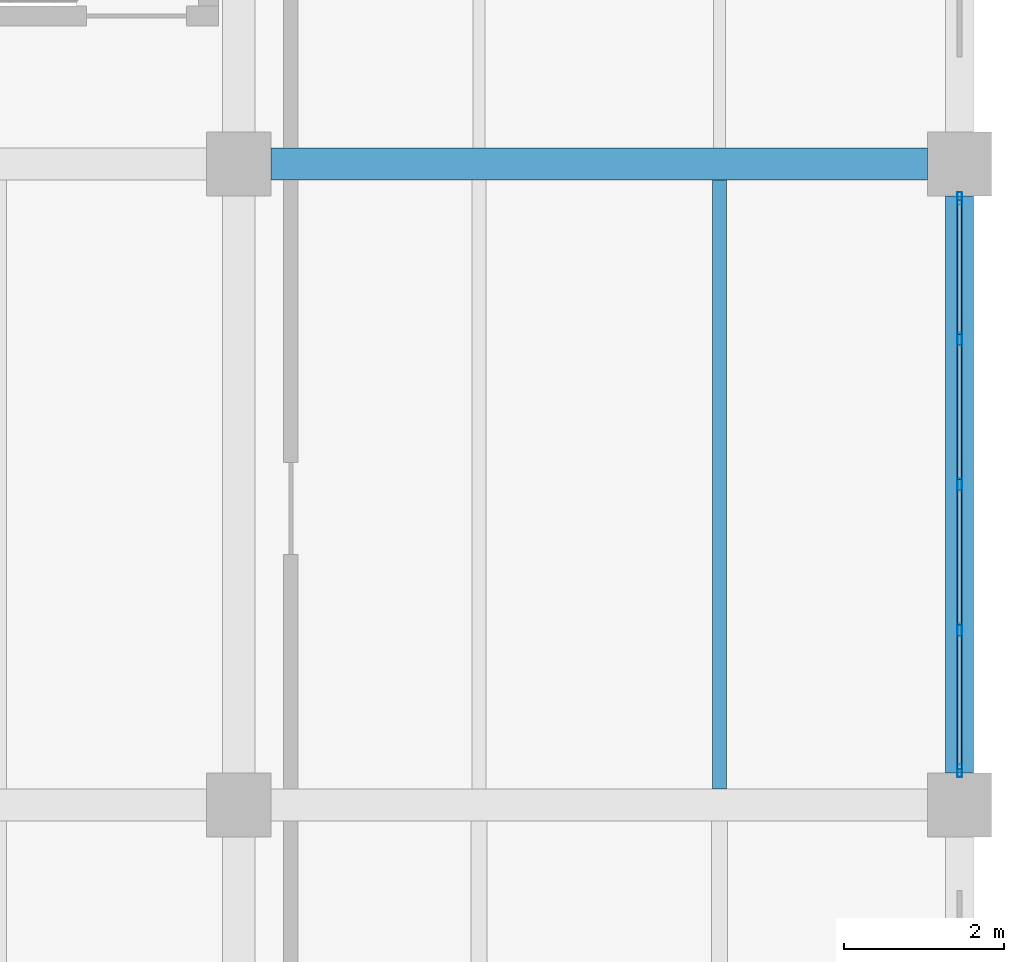
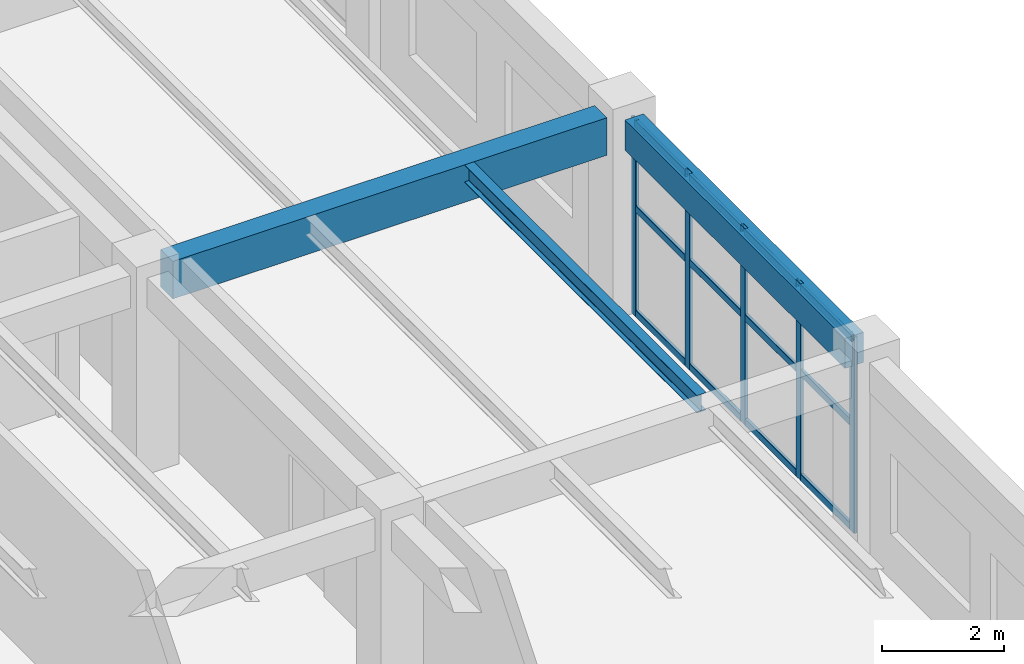
# One storey, part 108 of 148: 17 members, 3 beams, 1 element without a shape of its own.
"""IFC4 building model written with IfcOpenShell, lengths in metres."""

from ifc_helpers import new_model, si_unit, derived_unit, direction, frame, origin, origin_2d, place, context, subcontext, project, spatial, rectangle, hollow_rectangle, i_section, extrude, material, material_profile, profile_set, type_object, element, aggregate, save


model = new_model("IFC4")

# Units and contexts
model_context = context("Model", 3, precision=1e-05, world=origin(), true_north=direction((0.0, 1.0)))
body_context = subcontext(model_context, "Body", "Model", "MODEL_VIEW")
ifc_project = project(units=[si_unit("LENGTHUNIT", "METRE"), si_unit("AREAUNIT", "SQUARE_METRE"), si_unit("VOLUMEUNIT", "CUBIC_METRE"), si_unit("PLANEANGLEUNIT", "RADIAN"), si_unit("MASSUNIT", "GRAM", prefix="KILO"), derived_unit("THERMALTRANSMITTANCEUNIT", [(si_unit("MASSUNIT", "GRAM", prefix="KILO"), 1), (si_unit("TIMEUNIT", "SECOND"), -3), (si_unit("THERMODYNAMICTEMPERATUREUNIT", "KELVIN"), -1)])], contexts=[model_context])

# Site, building, storey
site_placement = place(None, origin())
site = spatial("IfcSite", under=ifc_project, at=site_placement, CompositionType="ELEMENT")
building_placement = place(site_placement, origin())
building = spatial("IfcBuilding", under=site, at=building_placement, Name="Zhenchuan Archway Interchange", CompositionType="ELEMENT")
storey_placement = place(building_placement, frame((0.0, 0.0, 10.199951171875)))
storey = spatial("IfcBuildingStorey", under=building, at=storey_placement, Name="L02", CompositionType="ELEMENT", Elevation=10.199951171875)

# Beam
ifc_material_1 = material(Name="Concrete C40", Category="concrete")
ifc_material_profile_1 = material_profile(ifc_material_1, rectangle(XDim=0.39990234375, YDim=0.75, at=origin_2d()), Name="RC 400x750")
ifc_profile_set_1 = profile_set([ifc_material_profile_1], Name="Concrete C40")
beam_type_1 = type_object("IfcBeamType", Name="BM_RC_400x750", PredefinedType="BEAM", material=ifc_profile_set_1)
beam_1_placement = place(storey_placement, frame((162.39990234375, 88.0, 3.545166015625), z_axis=(1.0, 0.0, 0.0), x_axis=(0.0, 1.0, 0.0)))
element("IfcBeam", 1, at=beam_1_placement, inside=storey, type_object=beam_type_1, Name="Beam M:19-20 (L02)", PredefinedType="BEAM", context=body_context, shape_type="SweptSolid", body=[
    extrude(rectangle(XDim=0.39990234375, YDim=0.75, at=origin_2d()), origin(), (0.0, 0.0, 1.0), 8.2001953125),
])

# Curtain wall, members
ifc_material_2 = material(Name="Anodised Aluminium", Category="aluminium")
curtain_wall_type = type_object("IfcCurtainWallType", Name="CW_UNIT_1", PredefinedType="NOTDEFINED", material=ifc_material_2)
curtain_wall_placement = place(storey_placement, origin())
curtain_wall = element("IfcCurtainWall", 2, at=curtain_wall_placement, inside=storey, type_object=curtain_wall_type, Name="Unitised curtain wall CW:L02:152", PredefinedType="NOTDEFINED")
ifc_material_profile_2 = material_profile(ifc_material_2, hollow_rectangle(XDim=0.06005859375, YDim=0.159912109375, WallThickness=0.00390625, InnerFilletRadius=0.00390625, OuterFilletRadius=0.008056640625, at=origin_2d()), Name="ALU 160x60x4")
ifc_profile_set_2 = profile_set([ifc_material_profile_2], Name="Anodised Aluminium")
member_type_1 = type_object("IfcMemberType", Name="CW_MUL_150", PredefinedType="MULLION", material=ifc_profile_set_2)
member_1_placement = place(storey_placement, frame((171.0, 87.572021484375, 0.0), z_axis=(0.0, 0.0, 1.0), x_axis=(1.0, 0.0, 0.0)))
member_1 = element("IfcMember", 3, at=member_1_placement, type_object=member_type_1, Name="CW:L02:152 mullion 0", PredefinedType="MULLION", context=body_context, shape_type="SweptSolid", body=[
    extrude(hollow_rectangle(XDim=0.06005859375, YDim=0.159912109375, WallThickness=0.00390625, InnerFilletRadius=0.00390625, OuterFilletRadius=0.008056640625, at=origin_2d()), origin(), (0.0, 0.0, 1.0), 3.920166015625),
])
member_2_placement = place(storey_placement, frame((171.0, 85.81591796875, 0.0), z_axis=(0.0, 0.0, 1.0), x_axis=(1.0, 0.0, 0.0)))
member_2 = element("IfcMember", 4, at=member_2_placement, type_object=member_type_1, Name="CW:L02:152 mullion 1", PredefinedType="MULLION", context=body_context, shape_type="SweptSolid", body=[
    extrude(hollow_rectangle(XDim=0.06005859375, YDim=0.159912109375, WallThickness=0.00390625, InnerFilletRadius=0.00390625, OuterFilletRadius=0.008056640625, at=origin_2d()), origin(), (0.0, 0.0, 1.0), 3.920166015625),
])
member_3_placement = place(storey_placement, frame((171.0, 84.0, 0.0), z_axis=(0.0, 0.0, 1.0), x_axis=(1.0, 0.0, 0.0)))
member_3 = element("IfcMember", 5, at=member_3_placement, type_object=member_type_1, Name="CW:L02:152 mullion 2", PredefinedType="MULLION", context=body_context, shape_type="SweptSolid", body=[
    extrude(hollow_rectangle(XDim=0.06005859375, YDim=0.159912109375, WallThickness=0.00390625, InnerFilletRadius=0.00390625, OuterFilletRadius=0.008056640625, at=origin_2d()), origin(), (0.0, 0.0, 1.0), 3.920166015625),
])
member_4_placement = place(storey_placement, frame((171.0, 82.18408203125, 0.0), z_axis=(0.0, 0.0, 1.0), x_axis=(1.0, 0.0, 0.0)))
member_4 = element("IfcMember", 6, at=member_4_placement, type_object=member_type_1, Name="CW:L02:152 mullion 3", PredefinedType="MULLION", context=body_context, shape_type="SweptSolid", body=[
    extrude(hollow_rectangle(XDim=0.06005859375, YDim=0.159912109375, WallThickness=0.00390625, InnerFilletRadius=0.00390625, OuterFilletRadius=0.008056640625, at=origin_2d()), origin(), (0.0, 0.0, 1.0), 3.920166015625),
])
member_5_placement = place(storey_placement, frame((171.0, 80.427978515625, 0.0), z_axis=(0.0, 0.0, 1.0), x_axis=(1.0, 0.0, 0.0)))
member_5 = element("IfcMember", 7, at=member_5_placement, type_object=member_type_1, Name="CW:L02:152 mullion 4", PredefinedType="MULLION", context=body_context, shape_type="SweptSolid", body=[
    extrude(hollow_rectangle(XDim=0.06005859375, YDim=0.159912109375, WallThickness=0.00390625, InnerFilletRadius=0.00390625, OuterFilletRadius=0.008056640625, at=origin_2d()), origin(), (0.0, 0.0, 1.0), 3.920166015625),
])
ifc_material_profile_3 = material_profile(ifc_material_2, hollow_rectangle(XDim=0.06005859375, YDim=0.139892578125, WallThickness=0.00341796875, InnerFilletRadius=0.00341796875, OuterFilletRadius=0.007080078125, at=origin_2d()), Name="ALU 140x60x3.5")
ifc_profile_set_3 = profile_set([ifc_material_profile_3], Name="Anodised Aluminium")
member_type_2 = type_object("IfcMemberType", Name="CW_TRN_140", PredefinedType="USERDEFINED", material=ifc_profile_set_3)
member_6_placement = place(storey_placement, frame((171.0, 87.552001953125, 0.06005859375), z_axis=(0.0, -1.0, 0.0), x_axis=(1.0, 0.0, 0.0)))
member_6 = element("IfcMember", 8, at=member_6_placement, type_object=member_type_2, Name="CW:L02:152 transom 0-1", ObjectType="TRANSOM", PredefinedType="USERDEFINED", context=body_context, shape_type="SweptSolid", body=[
    extrude(hollow_rectangle(XDim=0.06005859375, YDim=0.139892578125, WallThickness=0.00341796875, InnerFilletRadius=0.00341796875, OuterFilletRadius=0.007080078125, at=origin_2d()), origin(), (0.0, 0.0, 1.0), 1.676025390625),
])
member_7_placement = place(storey_placement, frame((171.0, 87.552001953125, 2.14501953125), z_axis=(0.0, -1.0, 0.0), x_axis=(1.0, 0.0, 0.0)))
member_7 = element("IfcMember", 9, at=member_7_placement, type_object=member_type_2, Name="CW:L02:152 transom 0-2", ObjectType="TRANSOM", PredefinedType="USERDEFINED", context=body_context, shape_type="SweptSolid", body=[
    extrude(hollow_rectangle(XDim=0.06005859375, YDim=0.139892578125, WallThickness=0.00341796875, InnerFilletRadius=0.00341796875, OuterFilletRadius=0.007080078125, at=origin_2d()), origin(), (0.0, 0.0, 1.0), 1.676025390625),
])
member_8_placement = place(storey_placement, frame((171.0, 87.552001953125, 3.840087890625), z_axis=(0.0, -1.0, 0.0), x_axis=(1.0, 0.0, 0.0)))
member_8 = element("IfcMember", 10, at=member_8_placement, type_object=member_type_2, Name="CW:L02:152 transom 0-3", ObjectType="TRANSOM", PredefinedType="USERDEFINED", context=body_context, shape_type="SweptSolid", body=[
    extrude(hollow_rectangle(XDim=0.06005859375, YDim=0.139892578125, WallThickness=0.00341796875, InnerFilletRadius=0.00341796875, OuterFilletRadius=0.007080078125, at=origin_2d()), origin(), (0.0, 0.0, 1.0), 1.676025390625),
])
member_9_placement = place(storey_placement, frame((171.0, 85.756103515625, 0.06005859375), z_axis=(0.0, -1.0, 0.0), x_axis=(1.0, 0.0, 0.0)))
member_9 = element("IfcMember", 11, at=member_9_placement, type_object=member_type_2, Name="CW:L02:152 transom 1-1", ObjectType="TRANSOM", PredefinedType="USERDEFINED", context=body_context, shape_type="SweptSolid", body=[
    extrude(hollow_rectangle(XDim=0.06005859375, YDim=0.139892578125, WallThickness=0.00341796875, InnerFilletRadius=0.00341796875, OuterFilletRadius=0.007080078125, at=origin_2d()), origin(), (0.0, 0.0, 1.0), 1.696044921875),
])
member_10_placement = place(storey_placement, frame((171.0, 85.756103515625, 2.14501953125), z_axis=(0.0, -1.0, 0.0), x_axis=(1.0, 0.0, 0.0)))
member_10 = element("IfcMember", 12, at=member_10_placement, type_object=member_type_2, Name="CW:L02:152 transom 1-2", ObjectType="TRANSOM", PredefinedType="USERDEFINED", context=body_context, shape_type="SweptSolid", body=[
    extrude(hollow_rectangle(XDim=0.06005859375, YDim=0.139892578125, WallThickness=0.00341796875, InnerFilletRadius=0.00341796875, OuterFilletRadius=0.007080078125, at=origin_2d()), origin(), (0.0, 0.0, 1.0), 1.696044921875),
])
member_11_placement = place(storey_placement, frame((171.0, 85.756103515625, 3.840087890625), z_axis=(0.0, -1.0, 0.0), x_axis=(1.0, 0.0, 0.0)))
member_11 = element("IfcMember", 13, at=member_11_placement, type_object=member_type_2, Name="CW:L02:152 transom 1-3", ObjectType="TRANSOM", PredefinedType="USERDEFINED", context=body_context, shape_type="SweptSolid", body=[
    extrude(hollow_rectangle(XDim=0.06005859375, YDim=0.139892578125, WallThickness=0.00341796875, InnerFilletRadius=0.00341796875, OuterFilletRadius=0.007080078125, at=origin_2d()), origin(), (0.0, 0.0, 1.0), 1.696044921875),
])
member_12_placement = place(storey_placement, frame((171.0, 83.93994140625, 0.06005859375), z_axis=(0.0, -1.0, 0.0), x_axis=(1.0, 0.0, 0.0)))
member_12 = element("IfcMember", 14, at=member_12_placement, type_object=member_type_2, Name="CW:L02:152 transom 2-1", ObjectType="TRANSOM", PredefinedType="USERDEFINED", context=body_context, shape_type="SweptSolid", body=[
    extrude(hollow_rectangle(XDim=0.06005859375, YDim=0.139892578125, WallThickness=0.00341796875, InnerFilletRadius=0.00341796875, OuterFilletRadius=0.007080078125, at=origin_2d()), origin(), (0.0, 0.0, 1.0), 1.696044921875),
])
member_13_placement = place(storey_placement, frame((171.0, 83.93994140625, 2.14501953125), z_axis=(0.0, -1.0, 0.0), x_axis=(1.0, 0.0, 0.0)))
member_13 = element("IfcMember", 15, at=member_13_placement, type_object=member_type_2, Name="CW:L02:152 transom 2-2", ObjectType="TRANSOM", PredefinedType="USERDEFINED", context=body_context, shape_type="SweptSolid", body=[
    extrude(hollow_rectangle(XDim=0.06005859375, YDim=0.139892578125, WallThickness=0.00341796875, InnerFilletRadius=0.00341796875, OuterFilletRadius=0.007080078125, at=origin_2d()), origin(), (0.0, 0.0, 1.0), 1.696044921875),
])
member_14_placement = place(storey_placement, frame((171.0, 83.93994140625, 3.840087890625), z_axis=(0.0, -1.0, 0.0), x_axis=(1.0, 0.0, 0.0)))
member_14 = element("IfcMember", 16, at=member_14_placement, type_object=member_type_2, Name="CW:L02:152 transom 2-3", ObjectType="TRANSOM", PredefinedType="USERDEFINED", context=body_context, shape_type="SweptSolid", body=[
    extrude(hollow_rectangle(XDim=0.06005859375, YDim=0.139892578125, WallThickness=0.00341796875, InnerFilletRadius=0.00341796875, OuterFilletRadius=0.007080078125, at=origin_2d()), origin(), (0.0, 0.0, 1.0), 1.696044921875),
])
member_15_placement = place(storey_placement, frame((171.0, 82.1240234375, 0.06005859375), z_axis=(0.0, -1.0, 0.0), x_axis=(1.0, 0.0, 0.0)))
member_15 = element("IfcMember", 17, at=member_15_placement, type_object=member_type_2, Name="CW:L02:152 transom 3-1", ObjectType="TRANSOM", PredefinedType="USERDEFINED", context=body_context, shape_type="SweptSolid", body=[
    extrude(hollow_rectangle(XDim=0.06005859375, YDim=0.139892578125, WallThickness=0.00341796875, InnerFilletRadius=0.00341796875, OuterFilletRadius=0.007080078125, at=origin_2d()), origin(), (0.0, 0.0, 1.0), 1.676025390625),
])
member_16_placement = place(storey_placement, frame((171.0, 82.1240234375, 2.14501953125), z_axis=(0.0, -1.0, 0.0), x_axis=(1.0, 0.0, 0.0)))
member_16 = element("IfcMember", 18, at=member_16_placement, type_object=member_type_2, Name="CW:L02:152 transom 3-2", ObjectType="TRANSOM", PredefinedType="USERDEFINED", context=body_context, shape_type="SweptSolid", body=[
    extrude(hollow_rectangle(XDim=0.06005859375, YDim=0.139892578125, WallThickness=0.00341796875, InnerFilletRadius=0.00341796875, OuterFilletRadius=0.007080078125, at=origin_2d()), origin(), (0.0, 0.0, 1.0), 1.676025390625),
])
member_17_placement = place(storey_placement, frame((171.0, 82.1240234375, 3.840087890625), z_axis=(0.0, -1.0, 0.0), x_axis=(1.0, 0.0, 0.0)))
member_17 = element("IfcMember", 19, at=member_17_placement, type_object=member_type_2, Name="CW:L02:152 transom 3-3", ObjectType="TRANSOM", PredefinedType="USERDEFINED", context=body_context, shape_type="SweptSolid", body=[
    extrude(hollow_rectangle(XDim=0.06005859375, YDim=0.139892578125, WallThickness=0.00341796875, InnerFilletRadius=0.00341796875, OuterFilletRadius=0.007080078125, at=origin_2d()), origin(), (0.0, 0.0, 1.0), 1.676025390625),
])
aggregate(curtain_wall, [member_1, member_2, member_3, member_4, member_5, member_6, member_7, member_8, member_9, member_10, member_11, member_12, member_13, member_14, member_15, member_16, member_17])

# Beams
ifc_material_3 = material(Name="Steel Q355", Category="steel")
ifc_material_profile_4 = material_profile(ifc_material_3, i_section(OverallWidth=0.175048828125, OverallDepth=0.35009765625, WebThickness=0.007080078125, FlangeThickness=0.010986328125, FilletRadius=0.013916015625, at=origin_2d()), Name="HN 350x175")
ifc_profile_set_4 = profile_set([ifc_material_profile_4], Name="Steel Q355")
beam_type_2 = type_object("IfcBeamType", Name="JST_STL_HN350", PredefinedType="JOIST", material=ifc_profile_set_4)
beam_2_placement = place(storey_placement, frame((168.0, 80.199951171875, 3.7451171875), z_axis=(0.0, 1.0, 0.0), x_axis=(-1.0, 0.0, 0.0)))
element("IfcBeam", 20, at=beam_2_placement, inside=storey, type_object=beam_type_2, Name="Secondary joist 19-20/L-M #2 (L02)", PredefinedType="JOIST", context=body_context, shape_type="SweptSolid", body=[
    extrude(i_section(OverallWidth=0.175048828125, OverallDepth=0.35009765625, WebThickness=0.007080078125, FlangeThickness=0.010986328125, FilletRadius=0.013916015625, at=origin_2d()), origin(), (0.0, 0.0, 1.0), 7.60009765625),
])
ifc_material_profile_5 = material_profile(ifc_material_1, rectangle(XDim=0.35009765625, YDim=0.60009765625, at=origin_2d()), Name="RC 350x600")
ifc_profile_set_5 = profile_set([ifc_material_profile_5], Name="Concrete C40")
beam_type_3 = type_object("IfcBeamType", Name="SP_RC_350x600", PredefinedType="SPANDREL", material=ifc_profile_set_5)
beam_3_placement = place(storey_placement, frame((171.0, 80.39990234375, 3.6201171875), z_axis=(0.0, 1.0, 0.0), x_axis=(-1.0, 0.0, 0.0)))
element("IfcBeam", 21, at=beam_3_placement, inside=storey, type_object=beam_type_3, Name="Beam 20:L-M (L02)", PredefinedType="SPANDREL", context=body_context, shape_type="SweptSolid", body=[
    extrude(rectangle(XDim=0.35009765625, YDim=0.60009765625, at=origin_2d()), origin(), (0.0, 0.0, 1.0), 7.2001953125),
])

save(model, "model.ifc")
